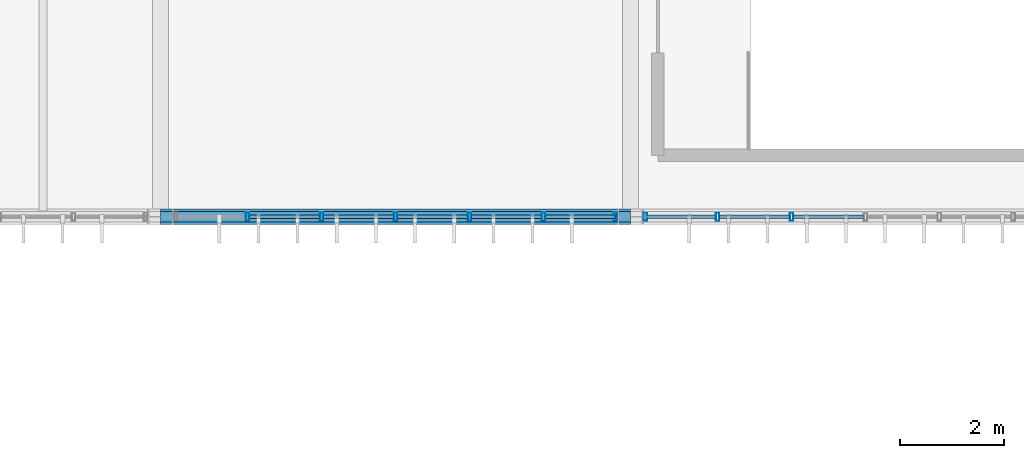
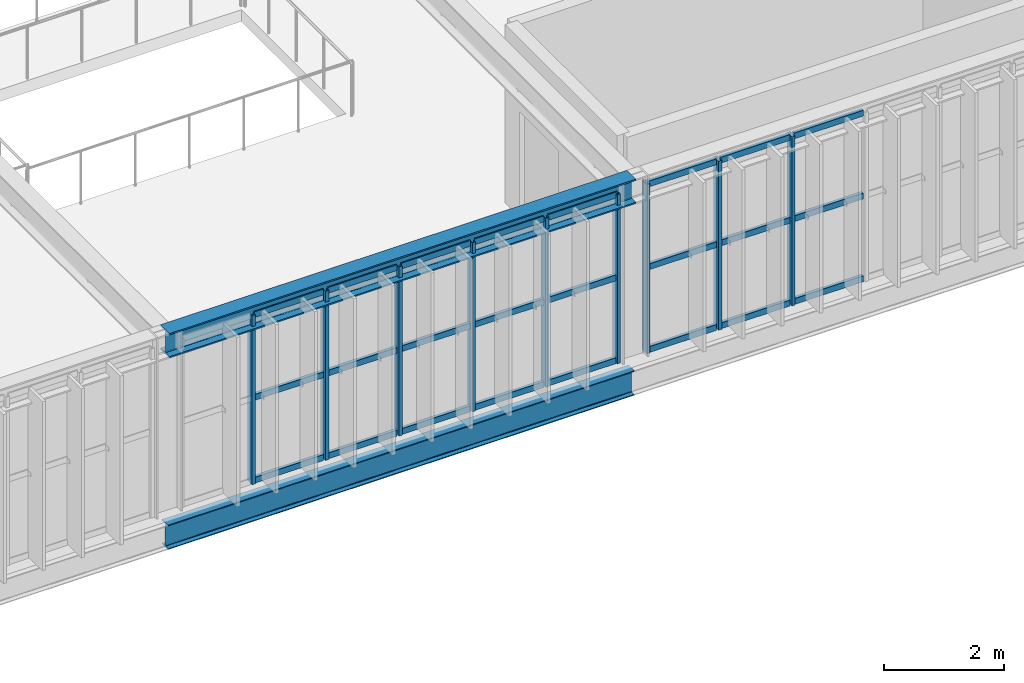
# One storey, part 21 of 152: 33 members, 2 beams, 2 elements without a shape of their own.
"""IFC4 building model written with IfcOpenShell, lengths in metres."""

import ifcopenshell
import ifcopenshell.guid

model = None  # the IFC model being written
_history = None  # IfcOwnerHistory: only IFC2X3 demands one
_inside = {}  # id of a spatial element -> (the spatial element, [elements in it])
_under = {}  # id of a project, library or spatial element -> (it, [spatial elements below it])
_declared = {}  # id of a project -> (the project, [libraries it declares])
_typed = {}  # id of a type object -> (the type object, [elements of that type])
_made_of = {}  # id of a material, layer set ... -> (it, [elements and type objects made of it])


def new_model(schema):
    """Start an empty IFC model of exactly this schema.

    Asked for "IFC4X3", IfcOpenShell would pick the latest addendum, in which some entities
    have other attributes; the version numbers below select the first issue.
    IFC2X3 requires an IfcOwnerHistory on every rooted entity: one is made here for all.
    """
    global model, _history
    if schema == "IFC4X3":
        model = ifcopenshell.file(schema_version=(4, 3, 0, 0))
    else:
        model = ifcopenshell.file(schema=schema)
    _inside.clear()
    _under.clear()
    _declared.clear()
    _typed.clear()
    _made_of.clear()
    _history = None
    if model.schema == "IFC2X3":
        org = make("IfcOrganization", Name="unknown")
        user = make(
            "IfcPersonAndOrganization",
            ThePerson=make("IfcPerson", FamilyName="unknown"),
            TheOrganization=org,
        )
        app = make(
            "IfcApplication",
            ApplicationDeveloper=org,
            Version="unknown",
            ApplicationFullName="unknown",
            ApplicationIdentifier="unknown",
        )
        _history = make(
            "IfcOwnerHistory",
            OwningUser=user,
            OwningApplication=app,
            ChangeAction="ADDED",
            CreationDate=0,
        )
    return model


def make(cls, **values):
    """One entity of the class cls with the attributes given. An attribute that is None is left unset."""
    return model.create_entity(
        cls, **{name: value for name, value in values.items() if value is not None}
    )


def rooted(cls, **values):
    """An entity with a GlobalId (a new one), such as an element, a storey or a relation."""
    return make(cls, GlobalId=ifcopenshell.guid.new(), OwnerHistory=_history, **values)


def si_unit(unit_type, name, prefix=None):
    """IfcSIUnit, for example si_unit("LENGTHUNIT", "METRE", prefix="MILLI")."""
    return make("IfcSIUnit", UnitType=unit_type, Prefix=prefix, Name=name)


def derived_unit(unit_type, elements):
    """IfcDerivedUnit: a product of units, each with its exponent."""
    return make(
        "IfcDerivedUnit",
        Elements=[
            make("IfcDerivedUnitElement", Unit=unit, Exponent=power)
            for unit, power in elements
        ],
        UnitType=unit_type,
    )


def assignment(units):
    """IfcUnitAssignment: the units of a project."""
    return None if units is None else make("IfcUnitAssignment", Units=units)


def point(xyz):
    """IfcCartesianPoint."""
    return None if xyz is None else make("IfcCartesianPoint", Coordinates=xyz)


def direction(xyz):
    """IfcDirection."""
    return None if xyz is None else make("IfcDirection", DirectionRatios=xyz)


def frame(location, z_axis=None, x_axis=None):
    """IfcAxis2Placement3D, a coordinate frame: its origin and axes. An axis left out is left unset."""
    return make(
        "IfcAxis2Placement3D",
        Location=point(location),
        Axis=direction(z_axis),
        RefDirection=direction(x_axis),
    )


def frame_2d(location, x_axis=None):
    """IfcAxis2Placement2D, a coordinate frame in the plane: its origin and x axis."""
    return make(
        "IfcAxis2Placement2D", Location=point(location), RefDirection=direction(x_axis)
    )


def origin():
    """The frame at (0, 0, 0) with its axes left unset."""
    return frame((0.0, 0.0, 0.0))


def origin_2d():
    """The frame at (0, 0) in the plane with its x axis left unset."""
    return frame_2d((0.0, 0.0))


def place(relative_to, where):
    """IfcLocalPlacement: puts the frame where relative to a parent placement (None: the world)."""
    return make(
        "IfcLocalPlacement", PlacementRelTo=relative_to, RelativePlacement=where
    )


def context(
    kind, dimensions, precision=None, world=None, true_north=None, identifier=None
):
    """IfcGeometricRepresentationContext, for example the 3D "Model" context."""
    return make(
        "IfcGeometricRepresentationContext",
        ContextIdentifier=identifier,
        ContextType=kind,
        CoordinateSpaceDimension=dimensions,
        Precision=precision,
        WorldCoordinateSystem=world,
        TrueNorth=true_north,
    )


def subcontext(parent, identifier, kind, view, scale=None):
    """IfcGeometricRepresentationSubContext, for example "Body" below "Model"."""
    return make(
        "IfcGeometricRepresentationSubContext",
        ContextIdentifier=identifier,
        ContextType=kind,
        ParentContext=parent,
        TargetScale=scale,
        TargetView=view,
    )


def project(units=None, contexts=None):
    """IfcProject with its units and contexts."""
    return rooted(
        "IfcProject",
        Name="project",
        RepresentationContexts=contexts,
        UnitsInContext=assignment(units),
    )


def spatial(cls, under=None, at=None, **own):
    """A site, building, storey or space (cls), placed at a placement, below another one or the project."""
    s = rooted(cls, ObjectPlacement=at, **own)
    if under is not None:
        _under.setdefault(under.id(), (under, []))[1].append(s)
    return s


def profile(cls, at=None, kind="AREA", **sizes):
    """A parametric profile (cls). Its sizes go by their IFC names, for example OverallWidth=200.0."""
    return make(cls, ProfileType=kind, Position=at, **sizes)


def hollow_rectangle(**sizes):
    """IfcRectangleHollowProfileDef."""
    return profile("IfcRectangleHollowProfileDef", **sizes)


def i_section(**sizes):
    """IfcIShapeProfileDef."""
    return profile("IfcIShapeProfileDef", **sizes)


def extrude(swept, where, along, depth):
    """IfcExtrudedAreaSolid: the profile swept, set in the frame where, extruded along a direction by depth."""
    return make(
        "IfcExtrudedAreaSolid",
        SweptArea=swept,
        Position=where,
        ExtrudedDirection=direction(along),
        Depth=depth,
    )


def shape(context_of_items, identifier, shape_type, items):
    """IfcShapeRepresentation: the items that make up one representation, for example the "Body"."""
    return make(
        "IfcShapeRepresentation",
        ContextOfItems=context_of_items,
        RepresentationIdentifier=identifier,
        RepresentationType=shape_type,
        Items=items,
    )


def material(Name=None, Category=None):
    """IfcMaterial."""
    return make("IfcMaterial", Name=Name, Category=Category)


def material_profile(
    of_material, cross_section, Name=None, Category=None, Priority=None
):
    """IfcMaterialProfile: a cross section and its material."""
    return make(
        "IfcMaterialProfile",
        Name=Name,
        Material=of_material,
        Profile=cross_section,
        Priority=Priority,
        Category=Category,
    )


def profile_set(profiles, Name=None, composite=None):
    """IfcMaterialProfileSet."""
    return make(
        "IfcMaterialProfileSet",
        Name=Name,
        MaterialProfiles=profiles,
        CompositeProfile=composite,
    )


def made_of(thing, what):
    """Note that an element or type object is made of a material, layer set ...; save() writes the relation."""
    if what is not None:
        _made_of.setdefault(what.id(), (what, []))[1].append(thing)
    return thing


def type_object(cls, material=None, **own):
    """A type object (cls), such as IfcWallType, which elements share."""
    return made_of(rooted(cls, **own), material)


def element(
    cls,
    number,
    at=None,
    inside=None,
    cuts=None,
    type_object=None,
    material=None,
    context=None,
    identifier="Body",
    shape_type=None,
    held_by="IfcProductDefinitionShape",
    body=None,
    shapes=None,
    **own,
):
    """One element of the class cls, such as IfcWall. Its Tag is "e" and its number.

    at: its placement. inside: the storey or other place that contains it. cuts: it is an
    opening in that element (IfcRelVoidsElement). A single representation is given by context,
    identifier, shape_type and body (its items); several are given by shapes. held_by: the class
    of the entity that holds the representations. save() writes the other relations.
    """
    e = rooted(cls, Tag="e%d" % number, ObjectPlacement=at, **own)
    if body is not None:
        shapes = [shape(context, identifier, shape_type, body)]
    if shapes is not None:
        e.Representation = make(held_by, Representations=shapes)
    if inside is not None:
        _inside.setdefault(inside.id(), (inside, []))[1].append(e)
    if cuts is not None:
        rooted(
            "IfcRelVoidsElement", RelatingBuildingElement=cuts, RelatedOpeningElement=e
        )
    if type_object is not None:
        _typed.setdefault(type_object.id(), (type_object, []))[1].append(e)
    return made_of(e, material)


def aggregate(whole, parts):
    """IfcRelAggregates: a whole, such as a stair, and the parts it consists of."""
    return rooted("IfcRelAggregates", RelatingObject=whole, RelatedObjects=parts)


def save(model, path):
    """Write the relations noted so far, then the file.

    IfcRelAggregates (storeys below a building ...), IfcRelContainedInSpatialStructure (elements
    in a storey), IfcRelDefinesByType, IfcRelAssociatesMaterial and IfcRelDeclares: one each for
    every whole, place, type object, material and project.
    """
    for whole, parts in _under.values():
        aggregate(whole, parts)
    for where, things in _inside.values():
        rooted(
            "IfcRelContainedInSpatialStructure",
            RelatedElements=things,
            RelatingStructure=where,
        )
    for kind, things in _typed.values():
        rooted("IfcRelDefinesByType", RelatedObjects=things, RelatingType=kind)
    for what, things in _made_of.values():
        rooted("IfcRelAssociatesMaterial", RelatedObjects=things, RelatingMaterial=what)
    for by, libraries in _declared.values():
        rooted("IfcRelDeclares", RelatingContext=by, RelatedDefinitions=libraries)
    model.write(path)


model = new_model("IFC4")

# Units and contexts
model_context = context("Model", 3, precision=1e-05, world=origin(), true_north=direction((0.0, 1.0)))
body_context = subcontext(model_context, "Body", "Model", "MODEL_VIEW")
ifc_project = project(units=[si_unit("LENGTHUNIT", "METRE"), si_unit("AREAUNIT", "SQUARE_METRE"), si_unit("VOLUMEUNIT", "CUBIC_METRE"), si_unit("PLANEANGLEUNIT", "RADIAN"), si_unit("MASSUNIT", "GRAM", prefix="KILO"), si_unit("THERMODYNAMICTEMPERATUREUNIT", "KELVIN"), si_unit("TIMEUNIT", "SECOND"), derived_unit("THERMALTRANSMITTANCEUNIT", [(si_unit("MASSUNIT", "GRAM", prefix="KILO"), 1), (si_unit("THERMODYNAMICTEMPERATUREUNIT", "KELVIN"), -1), (si_unit("TIMEUNIT", "SECOND"), -3)])], contexts=[model_context])

# Site, building, storey
site_placement = place(None, origin())
site = spatial("IfcSite", under=ifc_project, at=site_placement, CompositionType="ELEMENT")
building_placement = place(site_placement, origin())
building = spatial("IfcBuilding", under=site, at=building_placement, Name="Cambertide Market Hall", CompositionType="ELEMENT")
storey_placement = place(building_placement, frame((0.0, 0.0, 5.39990234375)))
storey = spatial("IfcBuildingStorey", under=building, at=storey_placement, Name="L02", CompositionType="ELEMENT", Elevation=5.39990234375)

# Curtain wall, members
ifc_material_1 = material(Name="Marine Anodized Aluminium 6063-T6 AA25", Category="aluminium")
curtain_wall_type = type_object("IfcCurtainWallType", Name="Lantern Straight Upper Curtain Wall", PredefinedType="USERDEFINED", material=ifc_material_1)
curtain_wall_1_placement = place(storey_placement, origin())
curtain_wall_1 = element("IfcCurtainWall", 1, at=curtain_wall_1_placement, inside=storey, type_object=curtain_wall_type, Name="Level 2 Curtain Wall CW-V1S-L02-2", ObjectType="UNITIZED CURTAIN WALL", PredefinedType="USERDEFINED")
ifc_material_2 = material(Name="Champagne Marine Anodized Aluminium 6063-T6 AA25", Category="aluminium")
ifc_material_profile_1 = material_profile(ifc_material_2, hollow_rectangle(XDim=0.06494140625, YDim=0.159912109375, WallThickness=0.00341796875, at=origin_2d()), Name="ALU MULLION 65x160")
ifc_profile_set_1 = profile_set([ifc_material_profile_1], Name="Champagne Marine Anodized Aluminium 6063-T6 AA25")
member_type_1 = type_object("IfcMemberType", Name="Curtain Wall Mullion ALU MULLION 65x160", PredefinedType="MULLION", material=ifc_profile_set_1)
member_1_placement = place(storey_placement, frame((59.715087890625, 52.0, 0.0), z_axis=(0.0, 0.0, 1.0), x_axis=(-1.0, 0.0, 0.0)))
member_1 = element("IfcMember", 2, at=member_1_placement, type_object=member_type_1, Name="CW-V1S-L02-2 Mullion 1", PredefinedType="MULLION", context=body_context, shape_type="SweptSolid", body=[
    extrude(hollow_rectangle(XDim=0.06494140625, YDim=0.159912109375, WallThickness=0.00341796875, at=origin_2d()), origin(), (0.0, 0.0, 1.0), 3.4501953125),
])
member_2_placement = place(storey_placement, frame((58.333251953125, 52.0, 0.0), z_axis=(0.0, 0.0, 1.0), x_axis=(-1.0, 0.0, 0.0)))
member_2 = element("IfcMember", 3, at=member_2_placement, type_object=member_type_1, Name="CW-V1S-L02-2 Mullion 2", PredefinedType="MULLION", context=body_context, shape_type="SweptSolid", body=[
    extrude(hollow_rectangle(XDim=0.06494140625, YDim=0.159912109375, WallThickness=0.00341796875, at=origin_2d()), origin(), (0.0, 0.0, 1.0), 3.4501953125),
])
member_3_placement = place(storey_placement, frame((56.916748046875, 52.0, 0.0), z_axis=(0.0, 0.0, 1.0), x_axis=(-1.0, 0.0, 0.0)))
member_3 = element("IfcMember", 4, at=member_3_placement, type_object=member_type_1, Name="CW-V1S-L02-2 Mullion 3", PredefinedType="MULLION", context=body_context, shape_type="SweptSolid", body=[
    extrude(hollow_rectangle(XDim=0.06494140625, YDim=0.159912109375, WallThickness=0.00341796875, at=origin_2d()), origin(), (0.0, 0.0, 1.0), 3.4501953125),
])
member_4_placement = place(storey_placement, frame((55.5, 52.0, 0.0), z_axis=(0.0, 0.0, 1.0), x_axis=(-1.0, 0.0, 0.0)))
member_4 = element("IfcMember", 5, at=member_4_placement, type_object=member_type_1, Name="CW-V1S-L02-2 Mullion 4", PredefinedType="MULLION", context=body_context, shape_type="SweptSolid", body=[
    extrude(hollow_rectangle(XDim=0.06494140625, YDim=0.159912109375, WallThickness=0.00341796875, at=origin_2d()), origin(), (0.0, 0.0, 1.0), 3.4501953125),
])
member_5_placement = place(storey_placement, frame((54.083251953125, 52.0, 0.0), z_axis=(0.0, 0.0, 1.0), x_axis=(-1.0, 0.0, 0.0)))
member_5 = element("IfcMember", 6, at=member_5_placement, type_object=member_type_1, Name="CW-V1S-L02-2 Mullion 5", PredefinedType="MULLION", context=body_context, shape_type="SweptSolid", body=[
    extrude(hollow_rectangle(XDim=0.06494140625, YDim=0.159912109375, WallThickness=0.00341796875, at=origin_2d()), origin(), (0.0, 0.0, 1.0), 3.4501953125),
])
member_6_placement = place(storey_placement, frame((52.666748046875, 52.0, 0.0), z_axis=(0.0, 0.0, 1.0), x_axis=(-1.0, 0.0, 0.0)))
member_6 = element("IfcMember", 7, at=member_6_placement, type_object=member_type_1, Name="CW-V1S-L02-2 Mullion 6", PredefinedType="MULLION", context=body_context, shape_type="SweptSolid", body=[
    extrude(hollow_rectangle(XDim=0.06494140625, YDim=0.159912109375, WallThickness=0.00341796875, at=origin_2d()), origin(), (0.0, 0.0, 1.0), 3.4501953125),
])

curtain_wall_2_placement = place(storey_placement, origin())
curtain_wall_2 = element("IfcCurtainWall", 8, at=curtain_wall_2_placement, inside=storey, type_object=curtain_wall_type, Name="Level 2 Curtain Wall CW-V1S-L02-3", ObjectType="UNITIZED CURTAIN WALL", PredefinedType="USERDEFINED")
member_7_placement = place(storey_placement, frame((63.083251953125, 52.0, 0.0), z_axis=(0.0, 0.0, 1.0), x_axis=(-1.0, 0.0, 0.0)))
member_7 = element("IfcMember", 9, at=member_7_placement, type_object=member_type_1, Name="CW-V1S-L02-3 Mullion 5", PredefinedType="MULLION", context=body_context, shape_type="SweptSolid", body=[
    extrude(hollow_rectangle(XDim=0.06494140625, YDim=0.159912109375, WallThickness=0.00341796875, at=origin_2d()), origin(), (0.0, 0.0, 1.0), 3.4501953125),
])
member_8_placement = place(storey_placement, frame((61.666748046875, 52.0, 0.0), z_axis=(0.0, 0.0, 1.0), x_axis=(-1.0, 0.0, 0.0)))
member_8 = element("IfcMember", 10, at=member_8_placement, type_object=member_type_1, Name="CW-V1S-L02-3 Mullion 6", PredefinedType="MULLION", context=body_context, shape_type="SweptSolid", body=[
    extrude(hollow_rectangle(XDim=0.06494140625, YDim=0.159912109375, WallThickness=0.00341796875, at=origin_2d()), origin(), (0.0, 0.0, 1.0), 3.4501953125),
])
member_9_placement = place(storey_placement, frame((60.284912109375, 52.0, 0.0), z_axis=(0.0, 0.0, 1.0), x_axis=(-1.0, 0.0, 0.0)))
member_9 = element("IfcMember", 11, at=member_9_placement, type_object=member_type_1, Name="CW-V1S-L02-3 Mullion 7", PredefinedType="MULLION", context=body_context, shape_type="SweptSolid", body=[
    extrude(hollow_rectangle(XDim=0.06494140625, YDim=0.159912109375, WallThickness=0.00341796875, at=origin_2d()), origin(), (0.0, 0.0, 1.0), 3.4501953125),
])

# Member
ifc_material_3 = material(Name="Champagne Marine Anodized Aluminium 6063-T6 AA25", Category="aluminium")
ifc_material_profile_2 = material_profile(ifc_material_3, hollow_rectangle(XDim=0.06494140625, YDim=0.1201171875, WallThickness=0.003173828125, at=origin_2d()), Name="ALU TRANSOM 65x120")
ifc_profile_set_2 = profile_set([ifc_material_profile_2], Name="Champagne Marine Anodized Aluminium 6063-T6 AA25")
member_type_2 = type_object("IfcMemberType", Name="Curtain Wall Transom ALU TRANSOM 65x120", PredefinedType="USERDEFINED", material=ifc_profile_set_2)
member_10_placement = place(storey_placement, frame((59.7099609375, 52.0, 0.03515625), z_axis=(-1.0, 0.0, 0.0), x_axis=(0.0, -1.0, 0.0)))
member_10 = element("IfcMember", 12, at=member_10_placement, type_object=member_type_2, Name="CW-V1S-L02-2 Transom 1-1", ObjectType="TRANSOM", PredefinedType="USERDEFINED", context=body_context, shape_type="SweptSolid", body=[
    extrude(hollow_rectangle(XDim=0.06494140625, YDim=0.1201171875, WallThickness=0.003173828125, at=origin_2d()), origin(), (0.0, 0.0, 1.0), 1.336669921875),
])

member_11_placement = place(storey_placement, frame((58.293212890625, 52.0, 0.03515625), z_axis=(-1.0, 0.0, 0.0), x_axis=(0.0, -1.0, 0.0)))
member_11 = element("IfcMember", 13, at=member_11_placement, type_object=member_type_2, Name="CW-V1S-L02-2 Transom 1-2", ObjectType="TRANSOM", PredefinedType="USERDEFINED", context=body_context, shape_type="SweptSolid", body=[
    extrude(hollow_rectangle(XDim=0.06494140625, YDim=0.1201171875, WallThickness=0.003173828125, at=origin_2d()), origin(), (0.0, 0.0, 1.0), 1.33642578125),
])

member_12_placement = place(storey_placement, frame((56.876708984375, 52.0, 0.03515625), z_axis=(-1.0, 0.0, 0.0), x_axis=(0.0, -1.0, 0.0)))
member_12 = element("IfcMember", 14, at=member_12_placement, type_object=member_type_2, Name="CW-V1S-L02-2 Transom 1-3", ObjectType="TRANSOM", PredefinedType="USERDEFINED", context=body_context, shape_type="SweptSolid", body=[
    extrude(hollow_rectangle(XDim=0.06494140625, YDim=0.1201171875, WallThickness=0.003173828125, at=origin_2d()), origin(), (0.0, 0.0, 1.0), 1.336669921875),
])

member_13_placement = place(storey_placement, frame((55.4599609375, 52.0, 0.03515625), z_axis=(-1.0, 0.0, 0.0), x_axis=(0.0, -1.0, 0.0)))
member_13 = element("IfcMember", 15, at=member_13_placement, type_object=member_type_2, Name="CW-V1S-L02-2 Transom 1-4", ObjectType="TRANSOM", PredefinedType="USERDEFINED", context=body_context, shape_type="SweptSolid", body=[
    extrude(hollow_rectangle(XDim=0.06494140625, YDim=0.1201171875, WallThickness=0.003173828125, at=origin_2d()), origin(), (0.0, 0.0, 1.0), 1.336669921875),
])

member_14_placement = place(storey_placement, frame((54.043212890625, 52.0, 0.03515625), z_axis=(-1.0, 0.0, 0.0), x_axis=(0.0, -1.0, 0.0)))
member_14 = element("IfcMember", 16, at=member_14_placement, type_object=member_type_2, Name="CW-V1S-L02-2 Transom 1-5", ObjectType="TRANSOM", PredefinedType="USERDEFINED", context=body_context, shape_type="SweptSolid", body=[
    extrude(hollow_rectangle(XDim=0.06494140625, YDim=0.1201171875, WallThickness=0.003173828125, at=origin_2d()), origin(), (0.0, 0.0, 1.0), 1.33642578125),
])

member_15_placement = place(storey_placement, frame((59.7099609375, 52.0, 1.72509765625), z_axis=(-1.0, 0.0, 0.0), x_axis=(0.0, -1.0, 0.0)))
member_15 = element("IfcMember", 17, at=member_15_placement, type_object=member_type_2, Name="CW-V1S-L02-2 Transom 2-1", ObjectType="TRANSOM", PredefinedType="USERDEFINED", context=body_context, shape_type="SweptSolid", body=[
    extrude(hollow_rectangle(XDim=0.06494140625, YDim=0.1201171875, WallThickness=0.003173828125, at=origin_2d()), origin(), (0.0, 0.0, 1.0), 1.336669921875),
])

member_16_placement = place(storey_placement, frame((58.293212890625, 52.0, 1.72509765625), z_axis=(-1.0, 0.0, 0.0), x_axis=(0.0, -1.0, 0.0)))
member_16 = element("IfcMember", 18, at=member_16_placement, type_object=member_type_2, Name="CW-V1S-L02-2 Transom 2-2", ObjectType="TRANSOM", PredefinedType="USERDEFINED", context=body_context, shape_type="SweptSolid", body=[
    extrude(hollow_rectangle(XDim=0.06494140625, YDim=0.1201171875, WallThickness=0.003173828125, at=origin_2d()), origin(), (0.0, 0.0, 1.0), 1.33642578125),
])

member_17_placement = place(storey_placement, frame((56.876708984375, 52.0, 1.72509765625), z_axis=(-1.0, 0.0, 0.0), x_axis=(0.0, -1.0, 0.0)))
member_17 = element("IfcMember", 19, at=member_17_placement, type_object=member_type_2, Name="CW-V1S-L02-2 Transom 2-3", ObjectType="TRANSOM", PredefinedType="USERDEFINED", context=body_context, shape_type="SweptSolid", body=[
    extrude(hollow_rectangle(XDim=0.06494140625, YDim=0.1201171875, WallThickness=0.003173828125, at=origin_2d()), origin(), (0.0, 0.0, 1.0), 1.336669921875),
])

member_18_placement = place(storey_placement, frame((55.4599609375, 52.0, 1.72509765625), z_axis=(-1.0, 0.0, 0.0), x_axis=(0.0, -1.0, 0.0)))
member_18 = element("IfcMember", 20, at=member_18_placement, type_object=member_type_2, Name="CW-V1S-L02-2 Transom 2-4", ObjectType="TRANSOM", PredefinedType="USERDEFINED", context=body_context, shape_type="SweptSolid", body=[
    extrude(hollow_rectangle(XDim=0.06494140625, YDim=0.1201171875, WallThickness=0.003173828125, at=origin_2d()), origin(), (0.0, 0.0, 1.0), 1.336669921875),
])

member_19_placement = place(storey_placement, frame((54.043212890625, 52.0, 1.72509765625), z_axis=(-1.0, 0.0, 0.0), x_axis=(0.0, -1.0, 0.0)))
member_19 = element("IfcMember", 21, at=member_19_placement, type_object=member_type_2, Name="CW-V1S-L02-2 Transom 2-5", ObjectType="TRANSOM", PredefinedType="USERDEFINED", context=body_context, shape_type="SweptSolid", body=[
    extrude(hollow_rectangle(XDim=0.06494140625, YDim=0.1201171875, WallThickness=0.003173828125, at=origin_2d()), origin(), (0.0, 0.0, 1.0), 1.33642578125),
])

member_20_placement = place(storey_placement, frame((59.7099609375, 52.0, 3.4150390625), z_axis=(-1.0, 0.0, 0.0), x_axis=(0.0, -1.0, 0.0)))
member_20 = element("IfcMember", 22, at=member_20_placement, type_object=member_type_2, Name="CW-V1S-L02-2 Transom 3-1", ObjectType="TRANSOM", PredefinedType="USERDEFINED", context=body_context, shape_type="SweptSolid", body=[
    extrude(hollow_rectangle(XDim=0.06494140625, YDim=0.1201171875, WallThickness=0.003173828125, at=origin_2d()), origin(), (0.0, 0.0, 1.0), 1.336669921875),
])

member_21_placement = place(storey_placement, frame((58.293212890625, 52.0, 3.4150390625), z_axis=(-1.0, 0.0, 0.0), x_axis=(0.0, -1.0, 0.0)))
member_21 = element("IfcMember", 23, at=member_21_placement, type_object=member_type_2, Name="CW-V1S-L02-2 Transom 3-2", ObjectType="TRANSOM", PredefinedType="USERDEFINED", context=body_context, shape_type="SweptSolid", body=[
    extrude(hollow_rectangle(XDim=0.06494140625, YDim=0.1201171875, WallThickness=0.003173828125, at=origin_2d()), origin(), (0.0, 0.0, 1.0), 1.33642578125),
])

member_22_placement = place(storey_placement, frame((56.876708984375, 52.0, 3.4150390625), z_axis=(-1.0, 0.0, 0.0), x_axis=(0.0, -1.0, 0.0)))
member_22 = element("IfcMember", 24, at=member_22_placement, type_object=member_type_2, Name="CW-V1S-L02-2 Transom 3-3", ObjectType="TRANSOM", PredefinedType="USERDEFINED", context=body_context, shape_type="SweptSolid", body=[
    extrude(hollow_rectangle(XDim=0.06494140625, YDim=0.1201171875, WallThickness=0.003173828125, at=origin_2d()), origin(), (0.0, 0.0, 1.0), 1.336669921875),
])

member_23_placement = place(storey_placement, frame((55.4599609375, 52.0, 3.4150390625), z_axis=(-1.0, 0.0, 0.0), x_axis=(0.0, -1.0, 0.0)))
member_23 = element("IfcMember", 25, at=member_23_placement, type_object=member_type_2, Name="CW-V1S-L02-2 Transom 3-4", ObjectType="TRANSOM", PredefinedType="USERDEFINED", context=body_context, shape_type="SweptSolid", body=[
    extrude(hollow_rectangle(XDim=0.06494140625, YDim=0.1201171875, WallThickness=0.003173828125, at=origin_2d()), origin(), (0.0, 0.0, 1.0), 1.336669921875),
])

member_24_placement = place(storey_placement, frame((54.043212890625, 52.0, 3.4150390625), z_axis=(-1.0, 0.0, 0.0), x_axis=(0.0, -1.0, 0.0)))
member_24 = element("IfcMember", 26, at=member_24_placement, type_object=member_type_2, Name="CW-V1S-L02-2 Transom 3-5", ObjectType="TRANSOM", PredefinedType="USERDEFINED", context=body_context, shape_type="SweptSolid", body=[
    extrude(hollow_rectangle(XDim=0.06494140625, YDim=0.1201171875, WallThickness=0.003173828125, at=origin_2d()), origin(), (0.0, 0.0, 1.0), 1.33642578125),
])

aggregate(curtain_wall_1, [member_1, member_2, member_3, member_4, member_5, member_6, member_10, member_11, member_12, member_13, member_14, member_15, member_16, member_17, member_18, member_19, member_20, member_21, member_22, member_23, member_24])

member_25_placement = place(storey_placement, frame((64.4599609375, 52.0, 0.03515625), z_axis=(-1.0, 0.0, 0.0), x_axis=(0.0, -1.0, 0.0)))
member_25 = element("IfcMember", 27, at=member_25_placement, type_object=member_type_2, Name="CW-V1S-L02-3 Transom 1-4", ObjectType="TRANSOM", PredefinedType="USERDEFINED", context=body_context, shape_type="SweptSolid", body=[
    extrude(hollow_rectangle(XDim=0.06494140625, YDim=0.1201171875, WallThickness=0.003173828125, at=origin_2d()), origin(), (0.0, 0.0, 1.0), 1.336669921875),
])

member_26_placement = place(storey_placement, frame((63.043212890625, 52.0, 0.03515625), z_axis=(-1.0, 0.0, 0.0), x_axis=(0.0, -1.0, 0.0)))
member_26 = element("IfcMember", 28, at=member_26_placement, type_object=member_type_2, Name="CW-V1S-L02-3 Transom 1-5", ObjectType="TRANSOM", PredefinedType="USERDEFINED", context=body_context, shape_type="SweptSolid", body=[
    extrude(hollow_rectangle(XDim=0.06494140625, YDim=0.1201171875, WallThickness=0.003173828125, at=origin_2d()), origin(), (0.0, 0.0, 1.0), 1.33642578125),
])

member_27_placement = place(storey_placement, frame((61.626708984375, 52.0, 0.03515625), z_axis=(-1.0, 0.0, 0.0), x_axis=(0.0, -1.0, 0.0)))
member_27 = element("IfcMember", 29, at=member_27_placement, type_object=member_type_2, Name="CW-V1S-L02-3 Transom 1-6", ObjectType="TRANSOM", PredefinedType="USERDEFINED", context=body_context, shape_type="SweptSolid", body=[
    extrude(hollow_rectangle(XDim=0.06494140625, YDim=0.1201171875, WallThickness=0.003173828125, at=origin_2d()), origin(), (0.0, 0.0, 1.0), 1.336669921875),
])

member_28_placement = place(storey_placement, frame((64.4599609375, 52.0, 1.72509765625), z_axis=(-1.0, 0.0, 0.0), x_axis=(0.0, -1.0, 0.0)))
member_28 = element("IfcMember", 30, at=member_28_placement, type_object=member_type_2, Name="CW-V1S-L02-3 Transom 2-4", ObjectType="TRANSOM", PredefinedType="USERDEFINED", context=body_context, shape_type="SweptSolid", body=[
    extrude(hollow_rectangle(XDim=0.06494140625, YDim=0.1201171875, WallThickness=0.003173828125, at=origin_2d()), origin(), (0.0, 0.0, 1.0), 1.336669921875),
])

member_29_placement = place(storey_placement, frame((63.043212890625, 52.0, 1.72509765625), z_axis=(-1.0, 0.0, 0.0), x_axis=(0.0, -1.0, 0.0)))
member_29 = element("IfcMember", 31, at=member_29_placement, type_object=member_type_2, Name="CW-V1S-L02-3 Transom 2-5", ObjectType="TRANSOM", PredefinedType="USERDEFINED", context=body_context, shape_type="SweptSolid", body=[
    extrude(hollow_rectangle(XDim=0.06494140625, YDim=0.1201171875, WallThickness=0.003173828125, at=origin_2d()), origin(), (0.0, 0.0, 1.0), 1.33642578125),
])

member_30_placement = place(storey_placement, frame((61.626708984375, 52.0, 1.72509765625), z_axis=(-1.0, 0.0, 0.0), x_axis=(0.0, -1.0, 0.0)))
member_30 = element("IfcMember", 32, at=member_30_placement, type_object=member_type_2, Name="CW-V1S-L02-3 Transom 2-6", ObjectType="TRANSOM", PredefinedType="USERDEFINED", context=body_context, shape_type="SweptSolid", body=[
    extrude(hollow_rectangle(XDim=0.06494140625, YDim=0.1201171875, WallThickness=0.003173828125, at=origin_2d()), origin(), (0.0, 0.0, 1.0), 1.336669921875),
])

member_31_placement = place(storey_placement, frame((64.4599609375, 52.0, 3.4150390625), z_axis=(-1.0, 0.0, 0.0), x_axis=(0.0, -1.0, 0.0)))
member_31 = element("IfcMember", 33, at=member_31_placement, type_object=member_type_2, Name="CW-V1S-L02-3 Transom 3-4", ObjectType="TRANSOM", PredefinedType="USERDEFINED", context=body_context, shape_type="SweptSolid", body=[
    extrude(hollow_rectangle(XDim=0.06494140625, YDim=0.1201171875, WallThickness=0.003173828125, at=origin_2d()), origin(), (0.0, 0.0, 1.0), 1.336669921875),
])

member_32_placement = place(storey_placement, frame((63.043212890625, 52.0, 3.4150390625), z_axis=(-1.0, 0.0, 0.0), x_axis=(0.0, -1.0, 0.0)))
member_32 = element("IfcMember", 34, at=member_32_placement, type_object=member_type_2, Name="CW-V1S-L02-3 Transom 3-5", ObjectType="TRANSOM", PredefinedType="USERDEFINED", context=body_context, shape_type="SweptSolid", body=[
    extrude(hollow_rectangle(XDim=0.06494140625, YDim=0.1201171875, WallThickness=0.003173828125, at=origin_2d()), origin(), (0.0, 0.0, 1.0), 1.33642578125),
])

member_33_placement = place(storey_placement, frame((61.626708984375, 52.0, 3.4150390625), z_axis=(-1.0, 0.0, 0.0), x_axis=(0.0, -1.0, 0.0)))
member_33 = element("IfcMember", 35, at=member_33_placement, type_object=member_type_2, Name="CW-V1S-L02-3 Transom 3-6", ObjectType="TRANSOM", PredefinedType="USERDEFINED", context=body_context, shape_type="SweptSolid", body=[
    extrude(hollow_rectangle(XDim=0.06494140625, YDim=0.1201171875, WallThickness=0.003173828125, at=origin_2d()), origin(), (0.0, 0.0, 1.0), 1.336669921875),
])

aggregate(curtain_wall_2, [member_7, member_8, member_9, member_25, member_26, member_27, member_28, member_29, member_30, member_31, member_32, member_33])

# Beams
ifc_material_4 = material(Name="Steel S355", Category="steel")
ifc_material_profile_3 = material_profile(ifc_material_4, i_section(OverallWidth=0.300048828125, OverallDepth=0.5, WebThickness=0.014404296875, FlangeThickness=0.028076171875, FilletRadius=0.027099609375, at=origin_2d()), Name="HEB 500")
ifc_profile_set_3 = profile_set([ifc_material_profile_3], Name="Steel S355")
beam_type_1 = type_object("IfcBeamType", Name="Exterior Steel Girder HEB 500", PredefinedType="BEAM", material=ifc_profile_set_3)
beam_1_placement = place(storey_placement, frame((51.0, 52.0, 3.4501953125), z_axis=(1.0, 0.0, 0.0), x_axis=(0.0, 1.0, 0.0)))
element("IfcBeam", 36, at=beam_1_placement, inside=storey, type_object=beam_type_1, Name="Level 2 Beam EAVE-V1S-2", PredefinedType="BEAM", context=body_context, shape_type="SweptSolid", body=[
    extrude(i_section(OverallWidth=0.300048828125, OverallDepth=0.5, WebThickness=0.014404296875, FlangeThickness=0.028076171875, FilletRadius=0.027099609375, at=origin_2d()), origin(), (0.0, 0.0, 1.0), 9.0),
])
ifc_material_5 = material(Name="Steel S355", Category="steel")
ifc_material_profile_4 = material_profile(ifc_material_5, i_section(OverallWidth=0.199951171875, OverallDepth=0.5, WebThickness=0.01025390625, FlangeThickness=0.01611328125, FilletRadius=0.02099609375, at=origin_2d()), Name="IPE 500")
ifc_profile_set_4 = profile_set([ifc_material_profile_4], Name="Steel S355")
beam_type_2 = type_object("IfcBeamType", Name="Perimeter Spandrel Beam IPE 500", PredefinedType="SPANDREL", material=ifc_profile_set_4)
beam_2_placement = place(storey_placement, frame((51.0, 52.0, -0.489990234375), z_axis=(1.0, 0.0, 0.0), x_axis=(0.0, 1.0, 0.0)))
element("IfcBeam", 37, at=beam_2_placement, inside=storey, type_object=beam_type_2, Name="Level 2 Spandrel BM-V1S-L02-2", PredefinedType="SPANDREL", context=body_context, shape_type="SweptSolid", body=[
    extrude(i_section(OverallWidth=0.199951171875, OverallDepth=0.5, WebThickness=0.01025390625, FlangeThickness=0.01611328125, FilletRadius=0.02099609375, at=origin_2d()), origin(), (0.0, 0.0, 1.0), 9.0),
])

save(model, "model.ifc")
